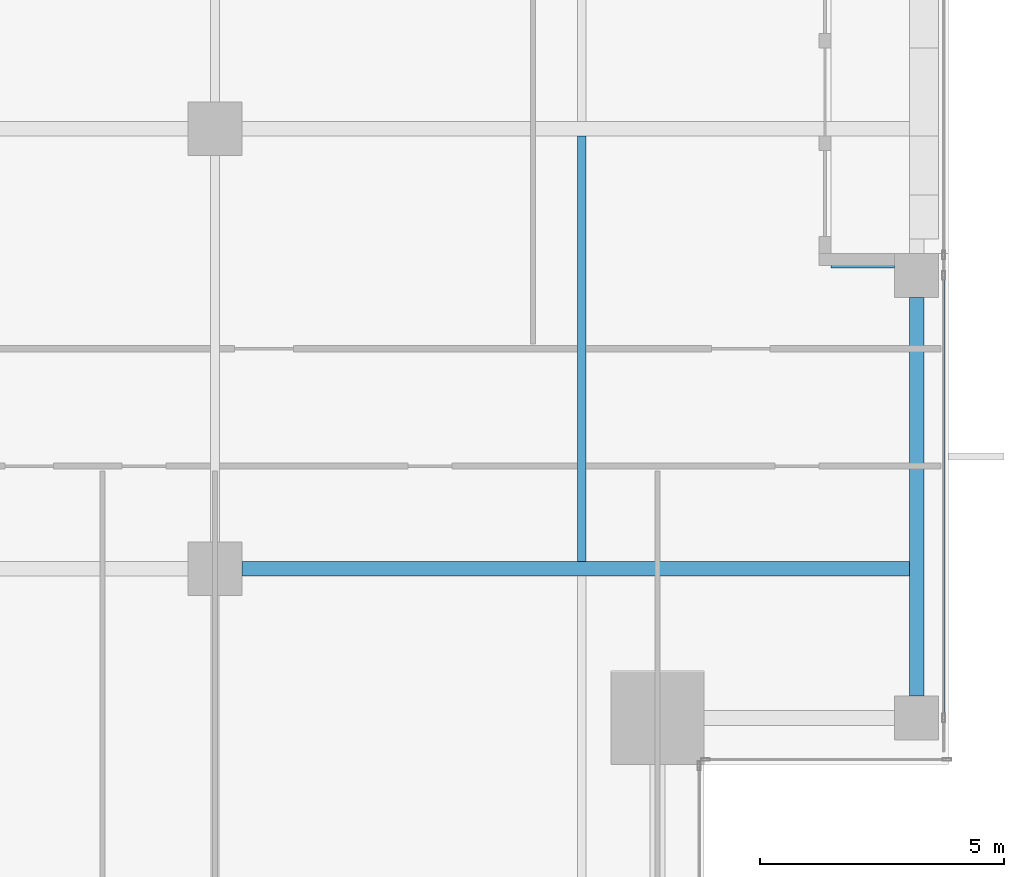
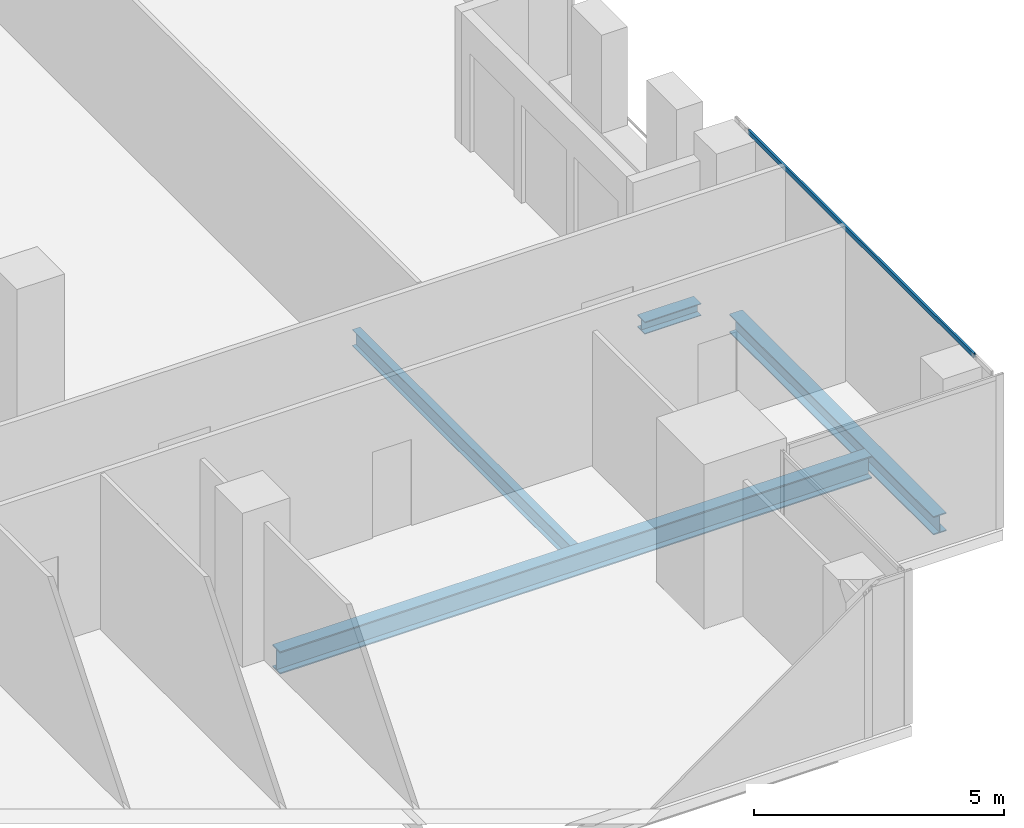
# One storey, part 11 of 36: 4 beams, 1 member, 1 element without a shape of its own.
"""IFC4 building model written with IfcOpenShell, lengths in metres."""

import ifcopenshell
import ifcopenshell.guid

model = None  # the IFC model being written
_history = None  # IfcOwnerHistory: only IFC2X3 demands one
_inside = {}  # id of a spatial element -> (the spatial element, [elements in it])
_under = {}  # id of a project, library or spatial element -> (it, [spatial elements below it])
_declared = {}  # id of a project -> (the project, [libraries it declares])
_typed = {}  # id of a type object -> (the type object, [elements of that type])
_made_of = {}  # id of a material, layer set ... -> (it, [elements and type objects made of it])


def new_model(schema):
    """Start an empty IFC model of exactly this schema.

    Asked for "IFC4X3", IfcOpenShell would pick the latest addendum, in which some entities
    have other attributes; the version numbers below select the first issue.
    IFC2X3 requires an IfcOwnerHistory on every rooted entity: one is made here for all.
    """
    global model, _history
    if schema == "IFC4X3":
        model = ifcopenshell.file(schema_version=(4, 3, 0, 0))
    else:
        model = ifcopenshell.file(schema=schema)
    _inside.clear()
    _under.clear()
    _declared.clear()
    _typed.clear()
    _made_of.clear()
    _history = None
    if model.schema == "IFC2X3":
        org = make("IfcOrganization", Name="unknown")
        user = make(
            "IfcPersonAndOrganization",
            ThePerson=make("IfcPerson", FamilyName="unknown"),
            TheOrganization=org,
        )
        app = make(
            "IfcApplication",
            ApplicationDeveloper=org,
            Version="unknown",
            ApplicationFullName="unknown",
            ApplicationIdentifier="unknown",
        )
        _history = make(
            "IfcOwnerHistory",
            OwningUser=user,
            OwningApplication=app,
            ChangeAction="ADDED",
            CreationDate=0,
        )
    return model


def make(cls, **values):
    """One entity of the class cls with the attributes given. An attribute that is None is left unset."""
    return model.create_entity(
        cls, **{name: value for name, value in values.items() if value is not None}
    )


def rooted(cls, **values):
    """An entity with a GlobalId (a new one), such as an element, a storey or a relation."""
    return make(cls, GlobalId=ifcopenshell.guid.new(), OwnerHistory=_history, **values)


def si_unit(unit_type, name, prefix=None):
    """IfcSIUnit, for example si_unit("LENGTHUNIT", "METRE", prefix="MILLI")."""
    return make("IfcSIUnit", UnitType=unit_type, Prefix=prefix, Name=name)


def assignment(units):
    """IfcUnitAssignment: the units of a project."""
    return None if units is None else make("IfcUnitAssignment", Units=units)


def point(xyz):
    """IfcCartesianPoint."""
    return None if xyz is None else make("IfcCartesianPoint", Coordinates=xyz)


def direction(xyz):
    """IfcDirection."""
    return None if xyz is None else make("IfcDirection", DirectionRatios=xyz)


def frame(location, z_axis=None, x_axis=None):
    """IfcAxis2Placement3D, a coordinate frame: its origin and axes. An axis left out is left unset."""
    return make(
        "IfcAxis2Placement3D",
        Location=point(location),
        Axis=direction(z_axis),
        RefDirection=direction(x_axis),
    )


def frame_2d(location, x_axis=None):
    """IfcAxis2Placement2D, a coordinate frame in the plane: its origin and x axis."""
    return make(
        "IfcAxis2Placement2D", Location=point(location), RefDirection=direction(x_axis)
    )


def origin():
    """The frame at (0, 0, 0) with its axes left unset."""
    return frame((0.0, 0.0, 0.0))


def origin_2d():
    """The frame at (0, 0) in the plane with its x axis left unset."""
    return frame_2d((0.0, 0.0))


def place(relative_to, where):
    """IfcLocalPlacement: puts the frame where relative to a parent placement (None: the world)."""
    return make(
        "IfcLocalPlacement", PlacementRelTo=relative_to, RelativePlacement=where
    )


def context(
    kind, dimensions, precision=None, world=None, true_north=None, identifier=None
):
    """IfcGeometricRepresentationContext, for example the 3D "Model" context."""
    return make(
        "IfcGeometricRepresentationContext",
        ContextIdentifier=identifier,
        ContextType=kind,
        CoordinateSpaceDimension=dimensions,
        Precision=precision,
        WorldCoordinateSystem=world,
        TrueNorth=true_north,
    )


def subcontext(parent, identifier, kind, view, scale=None):
    """IfcGeometricRepresentationSubContext, for example "Body" below "Model"."""
    return make(
        "IfcGeometricRepresentationSubContext",
        ContextIdentifier=identifier,
        ContextType=kind,
        ParentContext=parent,
        TargetScale=scale,
        TargetView=view,
    )


def project(units=None, contexts=None):
    """IfcProject with its units and contexts."""
    return rooted(
        "IfcProject",
        Name="project",
        RepresentationContexts=contexts,
        UnitsInContext=assignment(units),
    )


def spatial(cls, under=None, at=None, **own):
    """A site, building, storey or space (cls), placed at a placement, below another one or the project."""
    s = rooted(cls, ObjectPlacement=at, **own)
    if under is not None:
        _under.setdefault(under.id(), (under, []))[1].append(s)
    return s


def profile(cls, at=None, kind="AREA", **sizes):
    """A parametric profile (cls). Its sizes go by their IFC names, for example OverallWidth=200.0."""
    return make(cls, ProfileType=kind, Position=at, **sizes)


def hollow_rectangle(**sizes):
    """IfcRectangleHollowProfileDef."""
    return profile("IfcRectangleHollowProfileDef", **sizes)


def i_section(**sizes):
    """IfcIShapeProfileDef."""
    return profile("IfcIShapeProfileDef", **sizes)


def extrude(swept, where, along, depth):
    """IfcExtrudedAreaSolid: the profile swept, set in the frame where, extruded along a direction by depth."""
    return make(
        "IfcExtrudedAreaSolid",
        SweptArea=swept,
        Position=where,
        ExtrudedDirection=direction(along),
        Depth=depth,
    )


def shape(context_of_items, identifier, shape_type, items):
    """IfcShapeRepresentation: the items that make up one representation, for example the "Body"."""
    return make(
        "IfcShapeRepresentation",
        ContextOfItems=context_of_items,
        RepresentationIdentifier=identifier,
        RepresentationType=shape_type,
        Items=items,
    )


def source(mapping_origin, context_of_items, identifier, shape_type, items):
    """IfcRepresentationMap: a shape defined once, which mapped items show again and again."""
    return make(
        "IfcRepresentationMap",
        MappingOrigin=mapping_origin,
        MappedRepresentation=shape(context_of_items, identifier, shape_type, items),
    )


def transform(
    local_origin,
    x_axis=None,
    y_axis=None,
    z_axis=None,
    scale=None,
    scale2=None,
    scale3=None,
    uniform=True,
):
    """IfcCartesianTransformationOperator3D, or its non-uniform kind. x_axis, y_axis, z_axis: its Axis1, 2, 3."""
    if uniform:
        return make(
            "IfcCartesianTransformationOperator3D",
            Axis1=direction(x_axis),
            Axis2=direction(y_axis),
            LocalOrigin=point(local_origin),
            Scale=scale,
            Axis3=direction(z_axis),
        )
    return make(
        "IfcCartesianTransformationOperator3DnonUniform",
        Axis1=direction(x_axis),
        Axis2=direction(y_axis),
        LocalOrigin=point(local_origin),
        Scale=scale,
        Axis3=direction(z_axis),
        Scale2=scale2,
        Scale3=scale3,
    )


def mapped(mapping_source, mapping_target):
    """IfcMappedItem: shows the shape of a source again, moved by a transform."""
    return make(
        "IfcMappedItem", MappingSource=mapping_source, MappingTarget=mapping_target
    )


def material(Name=None, Category=None):
    """IfcMaterial."""
    return make("IfcMaterial", Name=Name, Category=Category)


def material_profile(
    of_material, cross_section, Name=None, Category=None, Priority=None
):
    """IfcMaterialProfile: a cross section and its material."""
    return make(
        "IfcMaterialProfile",
        Name=Name,
        Material=of_material,
        Profile=cross_section,
        Priority=Priority,
        Category=Category,
    )


def profile_set(profiles, Name=None, composite=None):
    """IfcMaterialProfileSet."""
    return make(
        "IfcMaterialProfileSet",
        Name=Name,
        MaterialProfiles=profiles,
        CompositeProfile=composite,
    )


def made_of(thing, what):
    """Note that an element or type object is made of a material, layer set ...; save() writes the relation."""
    if what is not None:
        _made_of.setdefault(what.id(), (what, []))[1].append(thing)
    return thing


def type_object(cls, material=None, **own):
    """A type object (cls), such as IfcWallType, which elements share."""
    return made_of(rooted(cls, **own), material)


def element(
    cls,
    number,
    at=None,
    inside=None,
    cuts=None,
    type_object=None,
    material=None,
    context=None,
    identifier="Body",
    shape_type=None,
    held_by="IfcProductDefinitionShape",
    body=None,
    shapes=None,
    **own,
):
    """One element of the class cls, such as IfcWall. Its Tag is "e" and its number.

    at: its placement. inside: the storey or other place that contains it. cuts: it is an
    opening in that element (IfcRelVoidsElement). A single representation is given by context,
    identifier, shape_type and body (its items); several are given by shapes. held_by: the class
    of the entity that holds the representations. save() writes the other relations.
    """
    e = rooted(cls, Tag="e%d" % number, ObjectPlacement=at, **own)
    if body is not None:
        shapes = [shape(context, identifier, shape_type, body)]
    if shapes is not None:
        e.Representation = make(held_by, Representations=shapes)
    if inside is not None:
        _inside.setdefault(inside.id(), (inside, []))[1].append(e)
    if cuts is not None:
        rooted(
            "IfcRelVoidsElement", RelatingBuildingElement=cuts, RelatedOpeningElement=e
        )
    if type_object is not None:
        _typed.setdefault(type_object.id(), (type_object, []))[1].append(e)
    return made_of(e, material)


def aggregate(whole, parts):
    """IfcRelAggregates: a whole, such as a stair, and the parts it consists of."""
    return rooted("IfcRelAggregates", RelatingObject=whole, RelatedObjects=parts)


def save(model, path):
    """Write the relations noted so far, then the file.

    IfcRelAggregates (storeys below a building ...), IfcRelContainedInSpatialStructure (elements
    in a storey), IfcRelDefinesByType, IfcRelAssociatesMaterial and IfcRelDeclares: one each for
    every whole, place, type object, material and project.
    """
    for whole, parts in _under.values():
        aggregate(whole, parts)
    for where, things in _inside.values():
        rooted(
            "IfcRelContainedInSpatialStructure",
            RelatedElements=things,
            RelatingStructure=where,
        )
    for kind, things in _typed.values():
        rooted("IfcRelDefinesByType", RelatedObjects=things, RelatingType=kind)
    for what, things in _made_of.values():
        rooted("IfcRelAssociatesMaterial", RelatedObjects=things, RelatingMaterial=what)
    for by, libraries in _declared.values():
        rooted("IfcRelDeclares", RelatingContext=by, RelatedDefinitions=libraries)
    model.write(path)


model = new_model("IFC4")

# Units and contexts
model_context = context("Model", 3, precision=1e-05, world=origin(), true_north=direction((0.0, 1.0)))
body_context = subcontext(model_context, "Body", "Model", "MODEL_VIEW")
ifc_project = project(units=[si_unit("LENGTHUNIT", "METRE"), si_unit("AREAUNIT", "SQUARE_METRE"), si_unit("VOLUMEUNIT", "CUBIC_METRE"), si_unit("PLANEANGLEUNIT", "RADIAN"), si_unit("MASSUNIT", "GRAM", prefix="KILO")], contexts=[model_context])

# Site, building, storey
site_placement = place(None, origin())
site = spatial("IfcSite", under=ifc_project, at=site_placement, CompositionType="ELEMENT")
building_placement = place(site_placement, origin())
building = spatial("IfcBuilding", under=site, at=building_placement, Name="Khomas Fold Tower", CompositionType="ELEMENT")
storey_placement = place(building_placement, frame((0.0, 0.0, 226.199951171875)))
storey = spatial("IfcBuildingStorey", under=building, at=storey_placement, Name="L50", CompositionType="ELEMENT", Elevation=226.199951171875)

# Beams
ifc_material_1 = material(Name="Steel S355", Category="steel")
ifc_material_profile_1 = material_profile(ifc_material_1, i_section(OverallWidth=0.179931640625, OverallDepth=0.39990234375, WebThickness=0.008544921875, FlangeThickness=0.013427734375, at=origin_2d()), Name="IPE 400")
ifc_profile_set_1 = profile_set([ifc_material_profile_1], Name="Steel S355")
beam_type_1 = type_object("IfcBeamType", Name="IPE 400 beam JB3", PredefinedType="BEAM", material=ifc_profile_set_1)
shared_shape_1 = source(origin(), body_context, "Body", "SweptSolid", [
    extrude(i_section(OverallWidth=0.179931640625, OverallDepth=0.39990234375, WebThickness=0.008544921875, FlangeThickness=0.013427734375, at=origin_2d()), origin(), (0.0, 0.0, 1.0), 8.7001953125),
])
beam_1_placement = place(storey_placement, frame((42.0, 13.64990234375, -0.449951171875), z_axis=(0.0, 1.0, 0.0), x_axis=(-1.0, 0.0, 0.0)))
element("IfcBeam", 1, at=beam_1_placement, inside=storey, type_object=beam_type_1, Name="JB3", PredefinedType="BEAM", context=body_context, shape_type="MappedRepresentation", body=[
    mapped(shared_shape_1, transform((0.0, 0.0, 0.0))),
])
ifc_material_2 = material(Name="Steel S355", Category="steel")
ifc_material_profile_2 = material_profile(ifc_material_2, i_section(OverallWidth=0.300048828125, OverallDepth=0.449951171875, WebThickness=0.013916015625, FlangeThickness=0.02587890625, at=origin_2d()), Name="HE 450 B")
ifc_profile_set_2 = profile_set([ifc_material_profile_2], Name="Steel S355")
beam_type_2 = type_object("IfcBeamType", Name="HE 450 B spandrel SB4", PredefinedType="SPANDREL", material=ifc_profile_set_2)
shared_shape_2 = source(origin(), body_context, "Body", "SweptSolid", [
    extrude(i_section(OverallWidth=0.300048828125, OverallDepth=0.449951171875, WebThickness=0.013916015625, FlangeThickness=0.02587890625, at=origin_2d()), origin(), (0.0, 0.0, 1.0), 8.150146484375),
])
beam_2_placement = place(storey_placement, frame((48.85009765625, 10.89990234375, -0.474853515625), z_axis=(0.0, 1.0, 0.0), x_axis=(-1.0, 0.0, 0.0)))
element("IfcBeam", 2, at=beam_2_placement, inside=storey, type_object=beam_type_2, Name="SB4", PredefinedType="SPANDREL", context=body_context, shape_type="MappedRepresentation", body=[
    mapped(shared_shape_2, transform((0.0, 0.0, 0.0))),
])
ifc_material_3 = material(Name="Steel S355", Category="steel")
ifc_material_profile_3 = material_profile(ifc_material_3, i_section(OverallWidth=0.300048828125, OverallDepth=0.550048828125, WebThickness=0.014892578125, FlangeThickness=0.029052734375, at=origin_2d()), Name="HE 550 B")
ifc_profile_set_3 = profile_set([ifc_material_profile_3], Name="Steel S355")
beam_type_3 = type_object("IfcBeamType", Name="HE 550 B beam GB4", PredefinedType="BEAM", material=ifc_profile_set_3)
shared_shape_3 = source(origin(), body_context, "Body", "SweptSolid", [
    extrude(i_section(OverallWidth=0.300048828125, OverallDepth=0.550048828125, WebThickness=0.014892578125, FlangeThickness=0.029052734375, at=origin_2d()), origin(), (0.0, 0.0, 1.0), 13.64990234375),
])
beam_3_placement = place(storey_placement, frame((35.050048828125, 13.5, -0.52490234375), z_axis=(1.0, 0.0, 0.0), x_axis=(0.0, 1.0, 0.0)))
element("IfcBeam", 3, at=beam_3_placement, inside=storey, type_object=beam_type_3, Name="GB4", PredefinedType="BEAM", context=body_context, shape_type="MappedRepresentation", body=[
    mapped(shared_shape_3, transform((0.0, 0.0, 0.0))),
])
ifc_material_4 = material(Name="Steel S355", Category="steel")
ifc_material_profile_4 = material_profile(ifc_material_4, i_section(OverallWidth=0.300048828125, OverallDepth=0.300048828125, WebThickness=0.010986328125, FlangeThickness=0.01904296875, at=origin_2d()), Name="HE 300 B")
ifc_profile_set_4 = profile_set([ifc_material_profile_4], Name="Steel S355")
beam_type_4 = type_object("IfcBeamType", Name="HE 300 B beam BB1", PredefinedType="BEAM", material=ifc_profile_set_4)
shared_shape_4 = source(origin(), body_context, "Body", "SweptSolid", [
    extrude(i_section(OverallWidth=0.300048828125, OverallDepth=0.300048828125, WebThickness=0.010986328125, FlangeThickness=0.01904296875, at=origin_2d()), origin(), (0.0, 0.0, 1.0), 1.2998046875),
])
beam_4_placement = place(storey_placement, frame((47.10009765625, 19.800048828125, -0.39990234375), z_axis=(1.0, 0.0, 0.0), x_axis=(0.0, 1.0, 0.0)))
element("IfcBeam", 4, at=beam_4_placement, inside=storey, type_object=beam_type_4, Name="BB1", PredefinedType="BEAM", context=body_context, shape_type="MappedRepresentation", body=[
    mapped(shared_shape_4, transform((0.0, 0.0, 0.0))),
])

# Curtain wall, member
ifc_material_5 = material(Name="Aluminium framed double glazing", Category="aluminium")
curtain_wall_type = type_object("IfcCurtainWallType", Name="SK-Unitised clear-glass wall, office floors CW2", PredefinedType="NOTDEFINED", material=ifc_material_5)
curtain_wall_placement = place(storey_placement, origin())
curtain_wall = element("IfcCurtainWall", 5, at=curtain_wall_placement, inside=storey, type_object=curtain_wall_type, Name="CW2 run L50 03-0", PredefinedType="NOTDEFINED")
ifc_material_6 = material(Name="Aluminium", Category="aluminium")
ifc_material_profile_5 = material_profile(ifc_material_6, hollow_rectangle(XDim=0.050048828125, YDim=0.110107421875, WallThickness=0.00390625, at=origin_2d()), Name="SK-Unitised clear-glass wall, office floors transom CW2-T")
ifc_profile_set_5 = profile_set([ifc_material_profile_5], Name="Aluminium")
member_type = type_object("IfcMemberType", Name="SK-Unitised clear-glass wall, office floors transom CW2-T", PredefinedType="USERDEFINED", material=ifc_profile_set_5)
shared_shape_5 = source(origin(), body_context, "Body", "SweptSolid", [
    extrude(hollow_rectangle(XDim=0.050048828125, YDim=0.110107421875, WallThickness=0.00390625, at=origin_2d()), origin(), (0.0, 0.0, 1.0), 8.989990234375),
])
member_placement = place(storey_placement, frame((49.39990234375, 10.47998046875, 3.695068359375), z_axis=(0.0, 1.0, 0.0), x_axis=(-1.0, 0.0, 0.0)))
member = element("IfcMember", 6, at=member_placement, type_object=member_type, Name="CW2 transom 2", ObjectType="TRANSOM", PredefinedType="USERDEFINED", context=body_context, shape_type="MappedRepresentation", body=[
    mapped(shared_shape_5, transform((0.0, 0.0, 0.0))),
])
aggregate(curtain_wall, [member])

save(model, "model.ifc")
